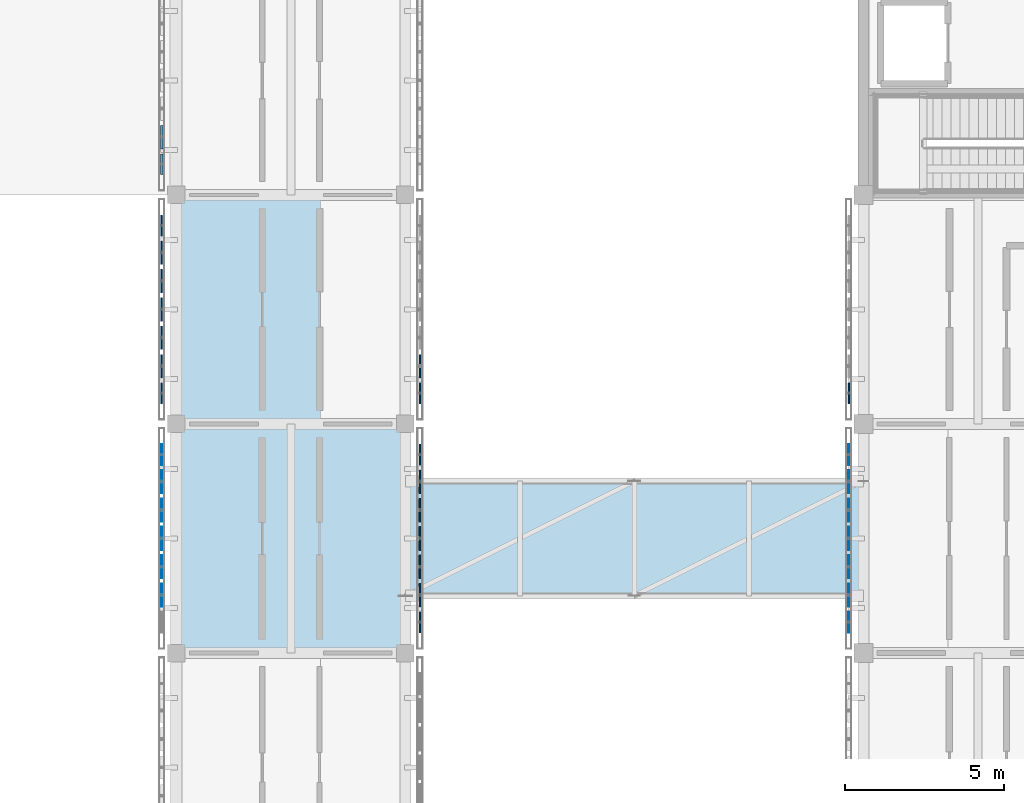
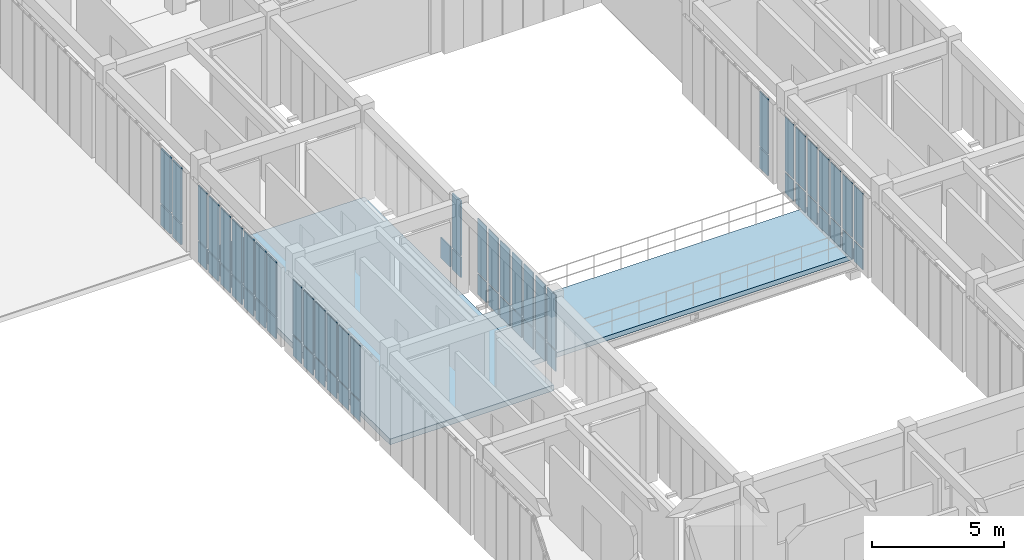
# One storey, part 58 of 91: 63 plates, 2 slabs, 7 elements without a shape of their own.
"""IFC4 building model written with IfcOpenShell, lengths in metres."""

from ifc_helpers import new_model, si_unit, direction, frame, origin, origin_2d, place, context, subcontext, project, spatial, polyline, rectangle, outline, extrude, material, layer, layer_set, type_object, element, aggregate, save


model = new_model("IFC4")

# Units and contexts
model_context = context("Model", 3, precision=1e-05, world=origin(), true_north=direction((0.0, 1.0)))
body_context = subcontext(model_context, "Body", "Model", "MODEL_VIEW")
ifc_project = project(units=[si_unit("LENGTHUNIT", "METRE"), si_unit("AREAUNIT", "SQUARE_METRE"), si_unit("VOLUMEUNIT", "CUBIC_METRE"), si_unit("PLANEANGLEUNIT", "RADIAN"), si_unit("MASSUNIT", "GRAM", prefix="KILO")], contexts=[model_context])

# Site, building, storey
site_placement = place(None, origin())
site = spatial("IfcSite", under=ifc_project, at=site_placement, CompositionType="ELEMENT")
building_placement = place(site_placement, origin())
building = spatial("IfcBuilding", under=site, at=building_placement, Name="Aldebral Square Health Centre", CompositionType="ELEMENT")
storey_placement = place(building_placement, frame((0.0, 0.0, 9.0)))
storey = spatial("IfcBuildingStorey", under=building, at=storey_placement, Name="L02", CompositionType="ELEMENT", Elevation=9.0)

# Curtain wall, plates
ifc_material_1 = material(Name="Aluminium and low-E solar glass", Category="aluminium")
curtain_wall_type = type_object("IfcCurtainWallType", Name="CW-FIN-SYS", PredefinedType="USERDEFINED", material=ifc_material_1)
curtain_wall_1_placement = place(storey_placement, origin())
curtain_wall_1 = element("IfcCurtainWall", 1, at=curtain_wall_1_placement, inside=storey, type_object=curtain_wall_type, Name="L02 V5 finned curtain wall L02-V5-19-11-W", ObjectType="SOLAR_CURTAIN_WALL", PredefinedType="USERDEFINED")
ifc_material_2 = material(Name="Solar-control low-E double glass", Category="glass")
ifc_layer_1 = layer(ifc_material_2, 0.030029296875, Name="Solar-control low-E double glass", Category="glass")
ifc_layer_set_1 = layer_set([ifc_layer_1], Name="Solar-control low-E double glass")
plate_type_1 = type_object("IfcPlateType", Name="CWP-GLZ-2", PredefinedType="CURTAIN_PANEL", material=ifc_layer_set_1)
plate_1_placement = place(storey_placement, frame((136.340087890625, 85.434326171875, 0.074951171875), z_axis=(0.0, 0.0, 1.0), x_axis=(0.0, -1.0, 0.0)))
plate_1 = element("IfcPlate", 2, at=plate_1_placement, type_object=plate_type_1, Name="CW1 panel 1.1", PredefinedType="CURTAIN_PANEL", context=body_context, shape_type="SweptSolid", body=[
    extrude(rectangle(XDim=0.6513671875, YDim=0.030029296875, at=origin_2d()), origin(), (0.0, 0.0, 1.0), 0.9375),
])
plate_2_placement = place(storey_placement, frame((136.340087890625, 85.434326171875, 1.08740234375), z_axis=(0.0, 0.0, 1.0), x_axis=(0.0, -1.0, 0.0)))
plate_2 = element("IfcPlate", 3, at=plate_2_placement, type_object=plate_type_1, Name="CW1 panel 1.2", PredefinedType="CURTAIN_PANEL", context=body_context, shape_type="SweptSolid", body=[
    extrude(rectangle(XDim=0.6513671875, YDim=0.030029296875, at=origin_2d()), origin(), (0.0, 0.0, 1.0), 2.527587890625),
])
plate_3_placement = place(storey_placement, frame((136.340087890625, 84.582763671875, 0.074951171875), z_axis=(0.0, 0.0, 1.0), x_axis=(0.0, -1.0, 0.0)))
plate_3 = element("IfcPlate", 4, at=plate_3_placement, type_object=plate_type_1, Name="CW1 panel 2.1", PredefinedType="CURTAIN_PANEL", context=body_context, shape_type="SweptSolid", body=[
    extrude(rectangle(XDim=0.7314453125, YDim=0.030029296875, at=origin_2d()), origin(), (0.0, 0.0, 1.0), 0.9375),
])
plate_4_placement = place(storey_placement, frame((136.340087890625, 84.582763671875, 1.08740234375), z_axis=(0.0, 0.0, 1.0), x_axis=(0.0, -1.0, 0.0)))
plate_4 = element("IfcPlate", 5, at=plate_4_placement, type_object=plate_type_1, Name="CW1 panel 2.2", PredefinedType="CURTAIN_PANEL", context=body_context, shape_type="SweptSolid", body=[
    extrude(rectangle(XDim=0.7314453125, YDim=0.030029296875, at=origin_2d()), origin(), (0.0, 0.0, 1.0), 2.527587890625),
])
plate_5_placement = place(storey_placement, frame((136.340087890625, 83.69140625, 0.074951171875), z_axis=(0.0, 0.0, 1.0), x_axis=(0.0, -1.0, 0.0)))
plate_5 = element("IfcPlate", 6, at=plate_5_placement, type_object=plate_type_1, Name="CW1 panel 3.1", PredefinedType="CURTAIN_PANEL", context=body_context, shape_type="SweptSolid", body=[
    extrude(rectangle(XDim=0.7314453125, YDim=0.030029296875, at=origin_2d()), origin(), (0.0, 0.0, 1.0), 0.9375),
])
plate_6_placement = place(storey_placement, frame((136.340087890625, 83.69140625, 1.08740234375), z_axis=(0.0, 0.0, 1.0), x_axis=(0.0, -1.0, 0.0)))
plate_6 = element("IfcPlate", 7, at=plate_6_placement, type_object=plate_type_1, Name="CW1 panel 3.2", PredefinedType="CURTAIN_PANEL", context=body_context, shape_type="SweptSolid", body=[
    extrude(rectangle(XDim=0.7314453125, YDim=0.030029296875, at=origin_2d()), origin(), (0.0, 0.0, 1.0), 2.527587890625),
])
plate_7_placement = place(storey_placement, frame((136.340087890625, 82.800048828125, 0.074951171875), z_axis=(0.0, 0.0, 1.0), x_axis=(0.0, -1.0, 0.0)))
plate_7 = element("IfcPlate", 8, at=plate_7_placement, type_object=plate_type_1, Name="CW1 panel 4.1", PredefinedType="CURTAIN_PANEL", context=body_context, shape_type="SweptSolid", body=[
    extrude(rectangle(XDim=0.7314453125, YDim=0.030029296875, at=origin_2d()), origin(), (0.0, 0.0, 1.0), 0.9375),
])
plate_8_placement = place(storey_placement, frame((136.340087890625, 82.800048828125, 1.08740234375), z_axis=(0.0, 0.0, 1.0), x_axis=(0.0, -1.0, 0.0)))
plate_8 = element("IfcPlate", 9, at=plate_8_placement, type_object=plate_type_1, Name="CW1 panel 4.2", PredefinedType="CURTAIN_PANEL", context=body_context, shape_type="SweptSolid", body=[
    extrude(rectangle(XDim=0.7314453125, YDim=0.030029296875, at=origin_2d()), origin(), (0.0, 0.0, 1.0), 2.527587890625),
])
plate_9_placement = place(storey_placement, frame((136.340087890625, 81.90869140625, 0.074951171875), z_axis=(0.0, 0.0, 1.0), x_axis=(0.0, -1.0, 0.0)))
plate_9 = element("IfcPlate", 10, at=plate_9_placement, type_object=plate_type_1, Name="CW1 panel 5.1", PredefinedType="CURTAIN_PANEL", context=body_context, shape_type="SweptSolid", body=[
    extrude(rectangle(XDim=0.7314453125, YDim=0.030029296875, at=origin_2d()), origin(), (0.0, 0.0, 1.0), 0.9375),
])
plate_10_placement = place(storey_placement, frame((136.340087890625, 81.90869140625, 1.08740234375), z_axis=(0.0, 0.0, 1.0), x_axis=(0.0, -1.0, 0.0)))
plate_10 = element("IfcPlate", 11, at=plate_10_placement, type_object=plate_type_1, Name="CW1 panel 5.2", PredefinedType="CURTAIN_PANEL", context=body_context, shape_type="SweptSolid", body=[
    extrude(rectangle(XDim=0.7314453125, YDim=0.030029296875, at=origin_2d()), origin(), (0.0, 0.0, 1.0), 2.527587890625),
])
plate_11_placement = place(storey_placement, frame((136.340087890625, 81.01708984375, 0.074951171875), z_axis=(0.0, 0.0, 1.0), x_axis=(0.0, -1.0, 0.0)))
plate_11 = element("IfcPlate", 12, at=plate_11_placement, type_object=plate_type_1, Name="CW1 panel 6.1", PredefinedType="CURTAIN_PANEL", context=body_context, shape_type="SweptSolid", body=[
    extrude(rectangle(XDim=0.7314453125, YDim=0.030029296875, at=origin_2d()), origin(), (0.0, 0.0, 1.0), 0.9375),
])
plate_12_placement = place(storey_placement, frame((136.340087890625, 81.01708984375, 1.08740234375), z_axis=(0.0, 0.0, 1.0), x_axis=(0.0, -1.0, 0.0)))
plate_12 = element("IfcPlate", 13, at=plate_12_placement, type_object=plate_type_1, Name="CW1 panel 6.2", PredefinedType="CURTAIN_PANEL", context=body_context, shape_type="SweptSolid", body=[
    extrude(rectangle(XDim=0.7314453125, YDim=0.030029296875, at=origin_2d()), origin(), (0.0, 0.0, 1.0), 2.527587890625),
])
aggregate(curtain_wall_1, [plate_1, plate_2, plate_3, plate_4, plate_5, plate_6, plate_7, plate_8, plate_9, plate_10, plate_11, plate_12])

curtain_wall_2_placement = place(storey_placement, origin())
curtain_wall_2 = element("IfcCurtainWall", 14, at=curtain_wall_2_placement, inside=storey, type_object=curtain_wall_type, Name="L02 V5 finned curtain wall L02-V5-22-11-W", ObjectType="SOLAR_CURTAIN_WALL", PredefinedType="USERDEFINED")
plate_13_placement = place(storey_placement, frame((157.93994140625, 85.434326171875, 0.074951171875), z_axis=(0.0, 0.0, 1.0), x_axis=(0.0, -1.0, 0.0)))
plate_13 = element("IfcPlate", 15, at=plate_13_placement, type_object=plate_type_1, Name="CW1 panel 1.1", PredefinedType="CURTAIN_PANEL", context=body_context, shape_type="SweptSolid", body=[
    extrude(rectangle(XDim=0.6513671875, YDim=0.030029296875, at=origin_2d()), origin(), (0.0, 0.0, 1.0), 0.9375),
])
plate_14_placement = place(storey_placement, frame((157.93994140625, 85.434326171875, 1.08740234375), z_axis=(0.0, 0.0, 1.0), x_axis=(0.0, -1.0, 0.0)))
plate_14 = element("IfcPlate", 16, at=plate_14_placement, type_object=plate_type_1, Name="CW1 panel 1.2", PredefinedType="CURTAIN_PANEL", context=body_context, shape_type="SweptSolid", body=[
    extrude(rectangle(XDim=0.6513671875, YDim=0.030029296875, at=origin_2d()), origin(), (0.0, 0.0, 1.0), 2.527587890625),
])
plate_15_placement = place(storey_placement, frame((157.93994140625, 84.582763671875, 0.074951171875), z_axis=(0.0, 0.0, 1.0), x_axis=(0.0, -1.0, 0.0)))
plate_15 = element("IfcPlate", 17, at=plate_15_placement, type_object=plate_type_1, Name="CW1 panel 2.1", PredefinedType="CURTAIN_PANEL", context=body_context, shape_type="SweptSolid", body=[
    extrude(rectangle(XDim=0.7314453125, YDim=0.030029296875, at=origin_2d()), origin(), (0.0, 0.0, 1.0), 0.9375),
])
plate_16_placement = place(storey_placement, frame((157.93994140625, 84.582763671875, 1.08740234375), z_axis=(0.0, 0.0, 1.0), x_axis=(0.0, -1.0, 0.0)))
plate_16 = element("IfcPlate", 18, at=plate_16_placement, type_object=plate_type_1, Name="CW1 panel 2.2", PredefinedType="CURTAIN_PANEL", context=body_context, shape_type="SweptSolid", body=[
    extrude(rectangle(XDim=0.7314453125, YDim=0.030029296875, at=origin_2d()), origin(), (0.0, 0.0, 1.0), 2.527587890625),
])
plate_17_placement = place(storey_placement, frame((157.93994140625, 83.69140625, 0.074951171875), z_axis=(0.0, 0.0, 1.0), x_axis=(0.0, -1.0, 0.0)))
plate_17 = element("IfcPlate", 19, at=plate_17_placement, type_object=plate_type_1, Name="CW1 panel 3.1", PredefinedType="CURTAIN_PANEL", context=body_context, shape_type="SweptSolid", body=[
    extrude(rectangle(XDim=0.7314453125, YDim=0.030029296875, at=origin_2d()), origin(), (0.0, 0.0, 1.0), 0.9375),
])
plate_18_placement = place(storey_placement, frame((157.93994140625, 83.69140625, 1.08740234375), z_axis=(0.0, 0.0, 1.0), x_axis=(0.0, -1.0, 0.0)))
plate_18 = element("IfcPlate", 20, at=plate_18_placement, type_object=plate_type_1, Name="CW1 panel 3.2", PredefinedType="CURTAIN_PANEL", context=body_context, shape_type="SweptSolid", body=[
    extrude(rectangle(XDim=0.7314453125, YDim=0.030029296875, at=origin_2d()), origin(), (0.0, 0.0, 1.0), 2.527587890625),
])
plate_19_placement = place(storey_placement, frame((157.93994140625, 82.800048828125, 0.074951171875), z_axis=(0.0, 0.0, 1.0), x_axis=(0.0, -1.0, 0.0)))
plate_19 = element("IfcPlate", 21, at=plate_19_placement, type_object=plate_type_1, Name="CW1 panel 4.1", PredefinedType="CURTAIN_PANEL", context=body_context, shape_type="SweptSolid", body=[
    extrude(rectangle(XDim=0.7314453125, YDim=0.030029296875, at=origin_2d()), origin(), (0.0, 0.0, 1.0), 0.9375),
])
plate_20_placement = place(storey_placement, frame((157.93994140625, 82.800048828125, 1.08740234375), z_axis=(0.0, 0.0, 1.0), x_axis=(0.0, -1.0, 0.0)))
plate_20 = element("IfcPlate", 22, at=plate_20_placement, type_object=plate_type_1, Name="CW1 panel 4.2", PredefinedType="CURTAIN_PANEL", context=body_context, shape_type="SweptSolid", body=[
    extrude(rectangle(XDim=0.7314453125, YDim=0.030029296875, at=origin_2d()), origin(), (0.0, 0.0, 1.0), 2.527587890625),
])
plate_21_placement = place(storey_placement, frame((157.93994140625, 81.90869140625, 0.074951171875), z_axis=(0.0, 0.0, 1.0), x_axis=(0.0, -1.0, 0.0)))
plate_21 = element("IfcPlate", 23, at=plate_21_placement, type_object=plate_type_1, Name="CW1 panel 5.1", PredefinedType="CURTAIN_PANEL", context=body_context, shape_type="SweptSolid", body=[
    extrude(rectangle(XDim=0.7314453125, YDim=0.030029296875, at=origin_2d()), origin(), (0.0, 0.0, 1.0), 0.9375),
])
plate_22_placement = place(storey_placement, frame((157.93994140625, 81.90869140625, 1.08740234375), z_axis=(0.0, 0.0, 1.0), x_axis=(0.0, -1.0, 0.0)))
plate_22 = element("IfcPlate", 24, at=plate_22_placement, type_object=plate_type_1, Name="CW1 panel 5.2", PredefinedType="CURTAIN_PANEL", context=body_context, shape_type="SweptSolid", body=[
    extrude(rectangle(XDim=0.7314453125, YDim=0.030029296875, at=origin_2d()), origin(), (0.0, 0.0, 1.0), 2.527587890625),
])
plate_23_placement = place(storey_placement, frame((157.93994140625, 81.01708984375, 0.074951171875), z_axis=(0.0, 0.0, 1.0), x_axis=(0.0, -1.0, 0.0)))
plate_23 = element("IfcPlate", 25, at=plate_23_placement, type_object=plate_type_1, Name="CW1 panel 6.1", PredefinedType="CURTAIN_PANEL", context=body_context, shape_type="SweptSolid", body=[
    extrude(rectangle(XDim=0.7314453125, YDim=0.030029296875, at=origin_2d()), origin(), (0.0, 0.0, 1.0), 0.9375),
])
plate_24_placement = place(storey_placement, frame((157.93994140625, 81.01708984375, 1.08740234375), z_axis=(0.0, 0.0, 1.0), x_axis=(0.0, -1.0, 0.0)))
plate_24 = element("IfcPlate", 26, at=plate_24_placement, type_object=plate_type_1, Name="CW1 panel 6.2", PredefinedType="CURTAIN_PANEL", context=body_context, shape_type="SweptSolid", body=[
    extrude(rectangle(XDim=0.7314453125, YDim=0.030029296875, at=origin_2d()), origin(), (0.0, 0.0, 1.0), 2.527587890625),
])
plate_25_placement = place(storey_placement, frame((157.93994140625, 80.165771484375, 0.074951171875), z_axis=(0.0, 0.0, 1.0), x_axis=(0.0, -1.0, 0.0)))
plate_25 = element("IfcPlate", 27, at=plate_25_placement, type_object=plate_type_1, Name="CW1 panel 7.1", PredefinedType="CURTAIN_PANEL", context=body_context, shape_type="SweptSolid", body=[
    extrude(rectangle(XDim=0.6513671875, YDim=0.030029296875, at=origin_2d()), origin(), (0.0, 0.0, 1.0), 0.9375),
])
plate_26_placement = place(storey_placement, frame((157.93994140625, 80.165771484375, 1.08740234375), z_axis=(0.0, 0.0, 1.0), x_axis=(0.0, -1.0, 0.0)))
plate_26 = element("IfcPlate", 28, at=plate_26_placement, type_object=plate_type_1, Name="CW1 panel 7.2", PredefinedType="CURTAIN_PANEL", context=body_context, shape_type="SweptSolid", body=[
    extrude(rectangle(XDim=0.6513671875, YDim=0.030029296875, at=origin_2d()), origin(), (0.0, 0.0, 1.0), 2.527587890625),
])
aggregate(curtain_wall_2, [plate_13, plate_14, plate_15, plate_16, plate_17, plate_18, plate_19, plate_20, plate_21, plate_22, plate_23, plate_24, plate_25, plate_26])

curtain_wall_3_placement = place(storey_placement, origin())
curtain_wall_3 = element("IfcCurtainWall", 29, at=curtain_wall_3_placement, inside=storey, type_object=curtain_wall_type, Name="L02 V5 finned curtain wall L02-V5-19-11-E", ObjectType="SOLAR_CURTAIN_WALL", PredefinedType="USERDEFINED")
ifc_layer_2 = layer(ifc_material_2, 0.0400390625, Name="Solar-control low-E double glass", Category="glass")
ifc_layer_set_2 = layer_set([ifc_layer_2], Name="Solar-control low-E double glass")
plate_type_2 = type_object("IfcPlateType", Name="CWP-GLZ-3", PredefinedType="CURTAIN_PANEL", material=ifc_layer_set_2)
plate_27_placement = place(storey_placement, frame((144.4599609375, 80.165771484375, 0.074951171875), z_axis=(0.0, 0.0, 1.0), x_axis=(0.0, 1.0, 0.0)))
plate_27 = element("IfcPlate", 30, at=plate_27_placement, type_object=plate_type_2, Name="CW1 panel 1.1", PredefinedType="CURTAIN_PANEL", context=body_context, shape_type="SweptSolid", body=[
    extrude(rectangle(XDim=0.6513671875, YDim=0.0400390625, at=origin_2d()), origin(), (0.0, 0.0, 1.0), 0.9375),
])
plate_28_placement = place(storey_placement, frame((144.4599609375, 80.165771484375, 1.08740234375), z_axis=(0.0, 0.0, 1.0), x_axis=(0.0, 1.0, 0.0)))
plate_28 = element("IfcPlate", 31, at=plate_28_placement, type_object=plate_type_2, Name="CW1 panel 1.2", PredefinedType="CURTAIN_PANEL", context=body_context, shape_type="SweptSolid", body=[
    extrude(rectangle(XDim=0.6513671875, YDim=0.0400390625, at=origin_2d()), origin(), (0.0, 0.0, 1.0), 2.527587890625),
])
plate_29_placement = place(storey_placement, frame((144.4599609375, 81.01708984375, 0.074951171875), z_axis=(0.0, 0.0, 1.0), x_axis=(0.0, 1.0, 0.0)))
plate_29 = element("IfcPlate", 32, at=plate_29_placement, type_object=plate_type_2, Name="CW1 panel 2.1", PredefinedType="CURTAIN_PANEL", context=body_context, shape_type="SweptSolid", body=[
    extrude(rectangle(XDim=0.7314453125, YDim=0.0400390625, at=origin_2d()), origin(), (0.0, 0.0, 1.0), 0.9375),
])
plate_30_placement = place(storey_placement, frame((144.4599609375, 81.01708984375, 1.08740234375), z_axis=(0.0, 0.0, 1.0), x_axis=(0.0, 1.0, 0.0)))
plate_30 = element("IfcPlate", 33, at=plate_30_placement, type_object=plate_type_2, Name="CW1 panel 2.2", PredefinedType="CURTAIN_PANEL", context=body_context, shape_type="SweptSolid", body=[
    extrude(rectangle(XDim=0.7314453125, YDim=0.0400390625, at=origin_2d()), origin(), (0.0, 0.0, 1.0), 2.527587890625),
])
plate_31_placement = place(storey_placement, frame((144.4599609375, 81.90869140625, 0.074951171875), z_axis=(0.0, 0.0, 1.0), x_axis=(0.0, 1.0, 0.0)))
plate_31 = element("IfcPlate", 34, at=plate_31_placement, type_object=plate_type_2, Name="CW1 panel 3.1", PredefinedType="CURTAIN_PANEL", context=body_context, shape_type="SweptSolid", body=[
    extrude(rectangle(XDim=0.7314453125, YDim=0.0400390625, at=origin_2d()), origin(), (0.0, 0.0, 1.0), 0.9375),
])
plate_32_placement = place(storey_placement, frame((144.4599609375, 81.90869140625, 1.08740234375), z_axis=(0.0, 0.0, 1.0), x_axis=(0.0, 1.0, 0.0)))
plate_32 = element("IfcPlate", 35, at=plate_32_placement, type_object=plate_type_2, Name="CW1 panel 3.2", PredefinedType="CURTAIN_PANEL", context=body_context, shape_type="SweptSolid", body=[
    extrude(rectangle(XDim=0.7314453125, YDim=0.0400390625, at=origin_2d()), origin(), (0.0, 0.0, 1.0), 2.527587890625),
])
plate_33_placement = place(storey_placement, frame((144.4599609375, 82.800048828125, 0.074951171875), z_axis=(0.0, 0.0, 1.0), x_axis=(0.0, 1.0, 0.0)))
plate_33 = element("IfcPlate", 36, at=plate_33_placement, type_object=plate_type_2, Name="CW1 panel 4.1", PredefinedType="CURTAIN_PANEL", context=body_context, shape_type="SweptSolid", body=[
    extrude(rectangle(XDim=0.7314453125, YDim=0.0400390625, at=origin_2d()), origin(), (0.0, 0.0, 1.0), 0.9375),
])
plate_34_placement = place(storey_placement, frame((144.4599609375, 82.800048828125, 1.08740234375), z_axis=(0.0, 0.0, 1.0), x_axis=(0.0, 1.0, 0.0)))
plate_34 = element("IfcPlate", 37, at=plate_34_placement, type_object=plate_type_2, Name="CW1 panel 4.2", PredefinedType="CURTAIN_PANEL", context=body_context, shape_type="SweptSolid", body=[
    extrude(rectangle(XDim=0.7314453125, YDim=0.0400390625, at=origin_2d()), origin(), (0.0, 0.0, 1.0), 2.527587890625),
])
plate_35_placement = place(storey_placement, frame((144.4599609375, 83.69140625, 0.074951171875), z_axis=(0.0, 0.0, 1.0), x_axis=(0.0, 1.0, 0.0)))
plate_35 = element("IfcPlate", 38, at=plate_35_placement, type_object=plate_type_2, Name="CW1 panel 5.1", PredefinedType="CURTAIN_PANEL", context=body_context, shape_type="SweptSolid", body=[
    extrude(rectangle(XDim=0.7314453125, YDim=0.0400390625, at=origin_2d()), origin(), (0.0, 0.0, 1.0), 0.9375),
])
plate_36_placement = place(storey_placement, frame((144.4599609375, 83.69140625, 1.08740234375), z_axis=(0.0, 0.0, 1.0), x_axis=(0.0, 1.0, 0.0)))
plate_36 = element("IfcPlate", 39, at=plate_36_placement, type_object=plate_type_2, Name="CW1 panel 5.2", PredefinedType="CURTAIN_PANEL", context=body_context, shape_type="SweptSolid", body=[
    extrude(rectangle(XDim=0.7314453125, YDim=0.0400390625, at=origin_2d()), origin(), (0.0, 0.0, 1.0), 2.527587890625),
])
plate_37_placement = place(storey_placement, frame((144.4599609375, 84.582763671875, 0.074951171875), z_axis=(0.0, 0.0, 1.0), x_axis=(0.0, 1.0, 0.0)))
plate_37 = element("IfcPlate", 40, at=plate_37_placement, type_object=plate_type_2, Name="CW1 panel 6.1", PredefinedType="CURTAIN_PANEL", context=body_context, shape_type="SweptSolid", body=[
    extrude(rectangle(XDim=0.7314453125, YDim=0.0400390625, at=origin_2d()), origin(), (0.0, 0.0, 1.0), 0.9375),
])
plate_38_placement = place(storey_placement, frame((144.4599609375, 84.582763671875, 1.08740234375), z_axis=(0.0, 0.0, 1.0), x_axis=(0.0, 1.0, 0.0)))
plate_38 = element("IfcPlate", 41, at=plate_38_placement, type_object=plate_type_2, Name="CW1 panel 6.2", PredefinedType="CURTAIN_PANEL", context=body_context, shape_type="SweptSolid", body=[
    extrude(rectangle(XDim=0.7314453125, YDim=0.0400390625, at=origin_2d()), origin(), (0.0, 0.0, 1.0), 2.527587890625),
])
plate_39_placement = place(storey_placement, frame((144.4599609375, 85.434326171875, 0.074951171875), z_axis=(0.0, 0.0, 1.0), x_axis=(0.0, 1.0, 0.0)))
plate_39 = element("IfcPlate", 42, at=plate_39_placement, type_object=plate_type_2, Name="CW1 panel 7.1", PredefinedType="CURTAIN_PANEL", context=body_context, shape_type="SweptSolid", body=[
    extrude(rectangle(XDim=0.6513671875, YDim=0.0400390625, at=origin_2d()), origin(), (0.0, 0.0, 1.0), 0.9375),
])
plate_40_placement = place(storey_placement, frame((144.4599609375, 85.434326171875, 1.08740234375), z_axis=(0.0, 0.0, 1.0), x_axis=(0.0, 1.0, 0.0)))
plate_40 = element("IfcPlate", 43, at=plate_40_placement, type_object=plate_type_2, Name="CW1 panel 7.2", PredefinedType="CURTAIN_PANEL", context=body_context, shape_type="SweptSolid", body=[
    extrude(rectangle(XDim=0.6513671875, YDim=0.0400390625, at=origin_2d()), origin(), (0.0, 0.0, 1.0), 2.527587890625),
])
aggregate(curtain_wall_3, [plate_27, plate_28, plate_29, plate_30, plate_31, plate_32, plate_33, plate_34, plate_35, plate_36, plate_37, plate_38, plate_39, plate_40])

curtain_wall_4_placement = place(storey_placement, origin())
curtain_wall_4 = element("IfcCurtainWall", 44, at=curtain_wall_4_placement, inside=storey, type_object=curtain_wall_type, Name="L02 V5 finned curtain wall L02-V5-19-12-W", ObjectType="SOLAR_CURTAIN_WALL", PredefinedType="USERDEFINED")
ifc_layer_3 = layer(ifc_material_2, 0.050048828125, Name="Solar-control low-E double glass", Category="glass")
ifc_layer_set_3 = layer_set([ifc_layer_3], Name="Solar-control low-E double glass")
plate_type_3 = type_object("IfcPlateType", Name="CWP-GLZ-4", PredefinedType="CURTAIN_PANEL", material=ifc_layer_set_3)
plate_41_placement = place(storey_placement, frame((136.340087890625, 92.63427734375, 0.074951171875), z_axis=(0.0, 0.0, 1.0), x_axis=(0.0, -1.0, 0.0)))
plate_41 = element("IfcPlate", 45, at=plate_41_placement, type_object=plate_type_3, Name="CW1 panel 1.1", PredefinedType="CURTAIN_PANEL", context=body_context, shape_type="SweptSolid", body=[
    extrude(rectangle(XDim=0.6513671875, YDim=0.050048828125, at=origin_2d()), origin(), (0.0, 0.0, 1.0), 0.9375),
])
plate_42_placement = place(storey_placement, frame((136.340087890625, 92.63427734375, 1.08740234375), z_axis=(0.0, 0.0, 1.0), x_axis=(0.0, -1.0, 0.0)))
plate_42 = element("IfcPlate", 46, at=plate_42_placement, type_object=plate_type_3, Name="CW1 panel 1.2", PredefinedType="CURTAIN_PANEL", context=body_context, shape_type="SweptSolid", body=[
    extrude(rectangle(XDim=0.6513671875, YDim=0.050048828125, at=origin_2d()), origin(), (0.0, 0.0, 1.0), 2.527587890625),
])
plate_43_placement = place(storey_placement, frame((136.340087890625, 91.782958984375, 0.074951171875), z_axis=(0.0, 0.0, 1.0), x_axis=(0.0, -1.0, 0.0)))
plate_43 = element("IfcPlate", 47, at=plate_43_placement, type_object=plate_type_3, Name="CW1 panel 2.1", PredefinedType="CURTAIN_PANEL", context=body_context, shape_type="SweptSolid", body=[
    extrude(rectangle(XDim=0.7314453125, YDim=0.050048828125, at=origin_2d()), origin(), (0.0, 0.0, 1.0), 0.9375),
])
plate_44_placement = place(storey_placement, frame((136.340087890625, 91.782958984375, 1.08740234375), z_axis=(0.0, 0.0, 1.0), x_axis=(0.0, -1.0, 0.0)))
plate_44 = element("IfcPlate", 48, at=plate_44_placement, type_object=plate_type_3, Name="CW1 panel 2.2", PredefinedType="CURTAIN_PANEL", context=body_context, shape_type="SweptSolid", body=[
    extrude(rectangle(XDim=0.7314453125, YDim=0.050048828125, at=origin_2d()), origin(), (0.0, 0.0, 1.0), 2.527587890625),
])
plate_45_placement = place(storey_placement, frame((136.340087890625, 90.891357421875, 0.074951171875), z_axis=(0.0, 0.0, 1.0), x_axis=(0.0, -1.0, 0.0)))
plate_45 = element("IfcPlate", 49, at=plate_45_placement, type_object=plate_type_3, Name="CW1 panel 3.1", PredefinedType="CURTAIN_PANEL", context=body_context, shape_type="SweptSolid", body=[
    extrude(rectangle(XDim=0.7314453125, YDim=0.050048828125, at=origin_2d()), origin(), (0.0, 0.0, 1.0), 0.9375),
])
plate_46_placement = place(storey_placement, frame((136.340087890625, 90.891357421875, 1.08740234375), z_axis=(0.0, 0.0, 1.0), x_axis=(0.0, -1.0, 0.0)))
plate_46 = element("IfcPlate", 50, at=plate_46_placement, type_object=plate_type_3, Name="CW1 panel 3.2", PredefinedType="CURTAIN_PANEL", context=body_context, shape_type="SweptSolid", body=[
    extrude(rectangle(XDim=0.7314453125, YDim=0.050048828125, at=origin_2d()), origin(), (0.0, 0.0, 1.0), 2.527587890625),
])
plate_47_placement = place(storey_placement, frame((136.340087890625, 90.0, 0.074951171875), z_axis=(0.0, 0.0, 1.0), x_axis=(0.0, -1.0, 0.0)))
plate_47 = element("IfcPlate", 51, at=plate_47_placement, type_object=plate_type_3, Name="CW1 panel 4.1", PredefinedType="CURTAIN_PANEL", context=body_context, shape_type="SweptSolid", body=[
    extrude(rectangle(XDim=0.7314453125, YDim=0.050048828125, at=origin_2d()), origin(), (0.0, 0.0, 1.0), 0.9375),
])
plate_48_placement = place(storey_placement, frame((136.340087890625, 90.0, 1.08740234375), z_axis=(0.0, 0.0, 1.0), x_axis=(0.0, -1.0, 0.0)))
plate_48 = element("IfcPlate", 52, at=plate_48_placement, type_object=plate_type_3, Name="CW1 panel 4.2", PredefinedType="CURTAIN_PANEL", context=body_context, shape_type="SweptSolid", body=[
    extrude(rectangle(XDim=0.7314453125, YDim=0.050048828125, at=origin_2d()), origin(), (0.0, 0.0, 1.0), 2.527587890625),
])
plate_49_placement = place(storey_placement, frame((136.340087890625, 89.108642578125, 0.074951171875), z_axis=(0.0, 0.0, 1.0), x_axis=(0.0, -1.0, 0.0)))
plate_49 = element("IfcPlate", 53, at=plate_49_placement, type_object=plate_type_3, Name="CW1 panel 5.1", PredefinedType="CURTAIN_PANEL", context=body_context, shape_type="SweptSolid", body=[
    extrude(rectangle(XDim=0.7314453125, YDim=0.050048828125, at=origin_2d()), origin(), (0.0, 0.0, 1.0), 0.9375),
])
plate_50_placement = place(storey_placement, frame((136.340087890625, 89.108642578125, 1.08740234375), z_axis=(0.0, 0.0, 1.0), x_axis=(0.0, -1.0, 0.0)))
plate_50 = element("IfcPlate", 54, at=plate_50_placement, type_object=plate_type_3, Name="CW1 panel 5.2", PredefinedType="CURTAIN_PANEL", context=body_context, shape_type="SweptSolid", body=[
    extrude(rectangle(XDim=0.7314453125, YDim=0.050048828125, at=origin_2d()), origin(), (0.0, 0.0, 1.0), 2.527587890625),
])
plate_51_placement = place(storey_placement, frame((136.340087890625, 88.217041015625, 0.074951171875), z_axis=(0.0, 0.0, 1.0), x_axis=(0.0, -1.0, 0.0)))
plate_51 = element("IfcPlate", 55, at=plate_51_placement, type_object=plate_type_3, Name="CW1 panel 6.1", PredefinedType="CURTAIN_PANEL", context=body_context, shape_type="SweptSolid", body=[
    extrude(rectangle(XDim=0.7314453125, YDim=0.050048828125, at=origin_2d()), origin(), (0.0, 0.0, 1.0), 0.9375),
])
plate_52_placement = place(storey_placement, frame((136.340087890625, 88.217041015625, 1.08740234375), z_axis=(0.0, 0.0, 1.0), x_axis=(0.0, -1.0, 0.0)))
plate_52 = element("IfcPlate", 56, at=plate_52_placement, type_object=plate_type_3, Name="CW1 panel 6.2", PredefinedType="CURTAIN_PANEL", context=body_context, shape_type="SweptSolid", body=[
    extrude(rectangle(XDim=0.7314453125, YDim=0.050048828125, at=origin_2d()), origin(), (0.0, 0.0, 1.0), 2.527587890625),
])
plate_53_placement = place(storey_placement, frame((136.340087890625, 87.36572265625, 0.074951171875), z_axis=(0.0, 0.0, 1.0), x_axis=(0.0, -1.0, 0.0)))
plate_53 = element("IfcPlate", 57, at=plate_53_placement, type_object=plate_type_3, Name="CW1 panel 7.1", PredefinedType="CURTAIN_PANEL", context=body_context, shape_type="SweptSolid", body=[
    extrude(rectangle(XDim=0.6513671875, YDim=0.050048828125, at=origin_2d()), origin(), (0.0, 0.0, 1.0), 0.9375),
])
plate_54_placement = place(storey_placement, frame((136.340087890625, 87.36572265625, 1.08740234375), z_axis=(0.0, 0.0, 1.0), x_axis=(0.0, -1.0, 0.0)))
plate_54 = element("IfcPlate", 58, at=plate_54_placement, type_object=plate_type_3, Name="CW1 panel 7.2", PredefinedType="CURTAIN_PANEL", context=body_context, shape_type="SweptSolid", body=[
    extrude(rectangle(XDim=0.6513671875, YDim=0.050048828125, at=origin_2d()), origin(), (0.0, 0.0, 1.0), 2.527587890625),
])
aggregate(curtain_wall_4, [plate_41, plate_42, plate_43, plate_44, plate_45, plate_46, plate_47, plate_48, plate_49, plate_50, plate_51, plate_52, plate_53, plate_54])

curtain_wall_5_placement = place(storey_placement, origin())
curtain_wall_5 = element("IfcCurtainWall", 59, at=curtain_wall_5_placement, inside=storey, type_object=curtain_wall_type, Name="L02 V5 finned curtain wall L02-V5-22-12-W", ObjectType="SOLAR_CURTAIN_WALL", PredefinedType="USERDEFINED")
plate_55_placement = place(storey_placement, frame((157.93994140625, 87.36572265625, 0.074951171875), z_axis=(0.0, 0.0, 1.0), x_axis=(0.0, -1.0, 0.0)))
plate_55 = element("IfcPlate", 60, at=plate_55_placement, type_object=plate_type_3, Name="CW1 panel 7.1", PredefinedType="CURTAIN_PANEL", context=body_context, shape_type="SweptSolid", body=[
    extrude(rectangle(XDim=0.6513671875, YDim=0.050048828125, at=origin_2d()), origin(), (0.0, 0.0, 1.0), 0.9375),
])
plate_56_placement = place(storey_placement, frame((157.93994140625, 87.36572265625, 1.08740234375), z_axis=(0.0, 0.0, 1.0), x_axis=(0.0, -1.0, 0.0)))
plate_56 = element("IfcPlate", 61, at=plate_56_placement, type_object=plate_type_3, Name="CW1 panel 7.2", PredefinedType="CURTAIN_PANEL", context=body_context, shape_type="SweptSolid", body=[
    extrude(rectangle(XDim=0.6513671875, YDim=0.050048828125, at=origin_2d()), origin(), (0.0, 0.0, 1.0), 2.527587890625),
])
aggregate(curtain_wall_5, [plate_55, plate_56])

curtain_wall_6_placement = place(storey_placement, origin())
curtain_wall_6 = element("IfcCurtainWall", 62, at=curtain_wall_6_placement, inside=storey, type_object=curtain_wall_type, Name="L02 V5 finned curtain wall L02-V5-19-12-E", ObjectType="SOLAR_CURTAIN_WALL", PredefinedType="USERDEFINED")
ifc_layer_4 = layer(ifc_material_2, 0.06005859375, Name="Solar-control low-E double glass", Category="glass")
ifc_layer_set_4 = layer_set([ifc_layer_4], Name="Solar-control low-E double glass")
plate_type_4 = type_object("IfcPlateType", Name="CWP-GLZ-5", PredefinedType="CURTAIN_PANEL", material=ifc_layer_set_4)
plate_57_placement = place(storey_placement, frame((144.4599609375, 87.36572265625, 0.074951171875), z_axis=(0.0, 0.0, 1.0), x_axis=(0.0, 1.0, 0.0)))
plate_57 = element("IfcPlate", 63, at=plate_57_placement, type_object=plate_type_4, Name="CW1 panel 1.1", PredefinedType="CURTAIN_PANEL", context=body_context, shape_type="SweptSolid", body=[
    extrude(rectangle(XDim=0.6513671875, YDim=0.06005859375, at=origin_2d()), origin(), (0.0, 0.0, 1.0), 0.9375),
])
plate_58_placement = place(storey_placement, frame((144.4599609375, 87.36572265625, 1.08740234375), z_axis=(0.0, 0.0, 1.0), x_axis=(0.0, 1.0, 0.0)))
plate_58 = element("IfcPlate", 64, at=plate_58_placement, type_object=plate_type_4, Name="CW1 panel 1.2", PredefinedType="CURTAIN_PANEL", context=body_context, shape_type="SweptSolid", body=[
    extrude(rectangle(XDim=0.6513671875, YDim=0.06005859375, at=origin_2d()), origin(), (0.0, 0.0, 1.0), 2.527587890625),
])
plate_59_placement = place(storey_placement, frame((144.4599609375, 88.217041015625, 0.074951171875), z_axis=(0.0, 0.0, 1.0), x_axis=(0.0, 1.0, 0.0)))
plate_59 = element("IfcPlate", 65, at=plate_59_placement, type_object=plate_type_4, Name="CW1 panel 2.1", PredefinedType="CURTAIN_PANEL", context=body_context, shape_type="SweptSolid", body=[
    extrude(rectangle(XDim=0.7314453125, YDim=0.06005859375, at=origin_2d()), origin(), (0.0, 0.0, 1.0), 0.9375),
])
aggregate(curtain_wall_6, [plate_57, plate_58, plate_59])

curtain_wall_7_placement = place(storey_placement, origin())
curtain_wall_7 = element("IfcCurtainWall", 66, at=curtain_wall_7_placement, inside=storey, type_object=curtain_wall_type, Name="L02 V5 finned curtain wall L02-V5-19-13-W", ObjectType="SOLAR_CURTAIN_WALL", PredefinedType="USERDEFINED")
ifc_layer_5 = layer(ifc_material_2, 0.070068359375, Name="Solar-control low-E double glass", Category="glass")
ifc_layer_set_5 = layer_set([ifc_layer_5], Name="Solar-control low-E double glass")
plate_type_5 = type_object("IfcPlateType", Name="CWP-GLZ-6", PredefinedType="CURTAIN_PANEL", material=ifc_layer_set_5)
plate_60_placement = place(storey_placement, frame((136.340087890625, 95.417236328125, 0.074951171875), z_axis=(0.0, 0.0, 1.0), x_axis=(0.0, -1.0, 0.0)))
plate_60 = element("IfcPlate", 67, at=plate_60_placement, type_object=plate_type_5, Name="CW1 panel 6.1", PredefinedType="CURTAIN_PANEL", context=body_context, shape_type="SweptSolid", body=[
    extrude(rectangle(XDim=0.7314453125, YDim=0.070068359375, at=origin_2d()), origin(), (0.0, 0.0, 1.0), 0.9375),
])
plate_61_placement = place(storey_placement, frame((136.340087890625, 95.417236328125, 1.08740234375), z_axis=(0.0, 0.0, 1.0), x_axis=(0.0, -1.0, 0.0)))
plate_61 = element("IfcPlate", 68, at=plate_61_placement, type_object=plate_type_5, Name="CW1 panel 6.2", PredefinedType="CURTAIN_PANEL", context=body_context, shape_type="SweptSolid", body=[
    extrude(rectangle(XDim=0.7314453125, YDim=0.070068359375, at=origin_2d()), origin(), (0.0, 0.0, 1.0), 2.527587890625),
])
plate_62_placement = place(storey_placement, frame((136.340087890625, 94.565673828125, 0.074951171875), z_axis=(0.0, 0.0, 1.0), x_axis=(0.0, -1.0, 0.0)))
plate_62 = element("IfcPlate", 69, at=plate_62_placement, type_object=plate_type_5, Name="CW1 panel 7.1", PredefinedType="CURTAIN_PANEL", context=body_context, shape_type="SweptSolid", body=[
    extrude(rectangle(XDim=0.6513671875, YDim=0.070068359375, at=origin_2d()), origin(), (0.0, 0.0, 1.0), 0.9375),
])
plate_63_placement = place(storey_placement, frame((136.340087890625, 94.565673828125, 1.08740234375), z_axis=(0.0, 0.0, 1.0), x_axis=(0.0, -1.0, 0.0)))
plate_63 = element("IfcPlate", 70, at=plate_63_placement, type_object=plate_type_5, Name="CW1 panel 7.2", PredefinedType="CURTAIN_PANEL", context=body_context, shape_type="SweptSolid", body=[
    extrude(rectangle(XDim=0.6513671875, YDim=0.070068359375, at=origin_2d()), origin(), (0.0, 0.0, 1.0), 2.527587890625),
])
aggregate(curtain_wall_7, [plate_60, plate_61, plate_62, plate_63])

# Slabs
ifc_material_3 = material(Name="Concrete C35/45", Category="concrete")
ifc_layer_6 = layer(ifc_material_3, 0.219970703125, Name="Concrete C35/45", Category="concrete")
ifc_layer_set_6 = layer_set([ifc_layer_6], Name="Concrete C35/45")
slab_type_1 = type_object("IfcSlabType", Name="SL-BRG-220", PredefinedType="FLOOR", material=ifc_layer_set_6)
slab_1_placement = place(storey_placement, frame((0.0, 0.0, -0.219970703125)))
element("IfcSlab", 71, at=slab_1_placement, inside=storey, type_object=slab_type_1, Name="East Light Court Bridge L02 deck slab", PredefinedType="FLOOR", context=body_context, shape_type="SweptSolid", body=[
    extrude(outline(polyline([(144.0, 81.0), (158.39990234375, 81.0), (158.39990234375, 84.60009765625), (144.0, 84.60009765625), (144.0, 81.0)])), origin(), (0.0, 0.0, 1.0), 0.219970703125),
])
ifc_layer_7 = layer(ifc_material_3, 0.260009765625, Name="Concrete C35/45", Category="concrete")
ifc_layer_set_7 = layer_set([ifc_layer_7], Name="Concrete C35/45")
slab_type_2 = type_object("IfcSlabType", Name="SL-FLR-260", PredefinedType="FLOOR", material=ifc_layer_set_7)
slab_2_placement = place(storey_placement, frame((0.0, 0.0, -0.260009765625)))
element("IfcSlab", 72, at=slab_2_placement, inside=storey, type_object=slab_type_2, Name="L02 V5 floor slab 3", PredefinedType="FLOOR", context=body_context, shape_type="SweptSolid", body=[
    extrude(outline(polyline([(136.800048828125, 79.199951171875), (136.800048828125, 86.39990234375), (136.800048828125, 93.60009765625), (144.0, 93.60009765625), (144.0, 86.39990234375), (144.0, 79.199951171875), (136.800048828125, 79.199951171875)])), origin(), (0.0, 0.0, 1.0), 0.260009765625),
])

save(model, "model.ifc")
